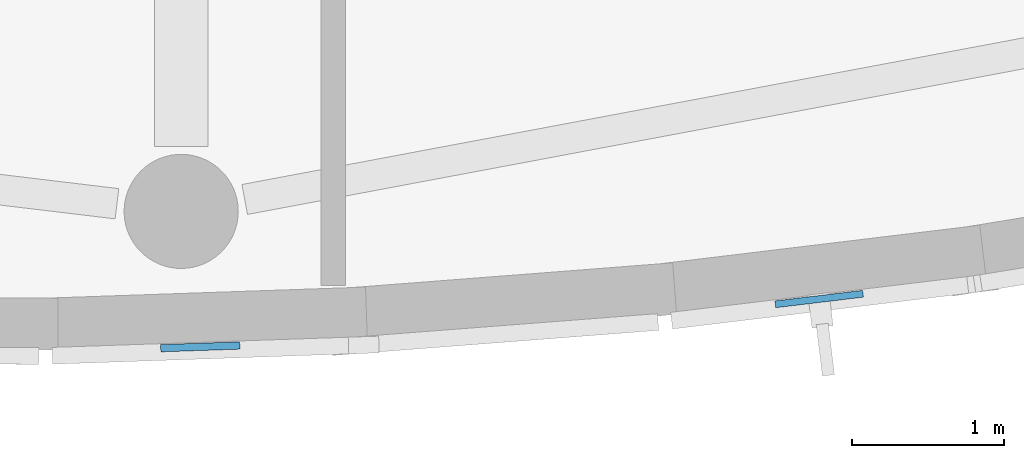
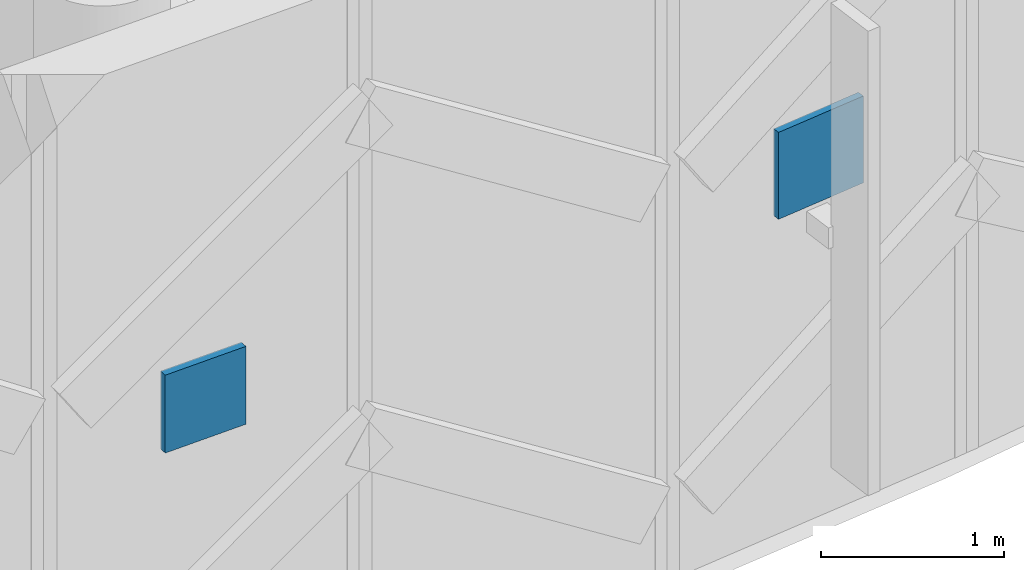
# One storey, part 123 of 193: 2 plates.
"""IFC4 building model written with IfcOpenShell, lengths in metres."""

from ifc_helpers import new_model, si_unit, direction, frame, origin, origin_2d, place, context, subcontext, project, spatial, rectangle, extrude, material, layer, layer_set, type_object, element, save


model = new_model("IFC4")

# Units and contexts
model_context = context("Model", 3, precision=1e-05, world=origin(), true_north=direction((0.0, 1.0)))
body_context = subcontext(model_context, "Body", "Model", "MODEL_VIEW")
ifc_project = project(units=[si_unit("LENGTHUNIT", "METRE"), si_unit("AREAUNIT", "SQUARE_METRE"), si_unit("VOLUMEUNIT", "CUBIC_METRE"), si_unit("PLANEANGLEUNIT", "RADIAN"), si_unit("MASSUNIT", "GRAM", prefix="KILO")], contexts=[model_context])

# Site, building, storey
site_placement = place(None, origin())
site = spatial("IfcSite", under=ifc_project, at=site_placement, CompositionType="ELEMENT")
building_placement = place(site_placement, origin())
building = spatial("IfcBuilding", under=site, at=building_placement, Name="Cendralis Lancet Convention Centre", CompositionType="ELEMENT")
storey_placement = place(building_placement, frame((0.0, 0.0, 10.199951171875)))
storey = spatial("IfcBuildingStorey", under=building, at=storey_placement, Name="L02", CompositionType="ELEMENT", Elevation=10.199951171875)

# Plates
ifc_material_1 = material(Name="Warm buff sandstone chevron cassette", Category="masonry")
ifc_layer_1 = layer(ifc_material_1, 0.044921875, Name="Warm buff sandstone chevron cassette")
ifc_layer_set_1 = layer_set([ifc_layer_1], Name="Warm buff sandstone chevron cassette")
plate_type_1 = type_object("IfcPlateType", Name="ARC-PL-CHV1", PredefinedType="SHEET", material=ifc_layer_set_1)
plate_1_placement = place(storey_placement, frame((61.79150390625, 0.619384765625, 2.130126953125), z_axis=(0.0, 0.0, 1.0), x_axis=(0.992818021481, 0.119634343823, 0.0)))
element("IfcPlate", 1, at=plate_1_placement, inside=storey, type_object=plate_type_1, Name="Chevron Keystone Cassette CHV-S1 #0047", PredefinedType="SHEET", context=body_context, shape_type="SweptSolid", body=[
    extrude(rectangle(XDim=0.580078125, YDim=0.044921875, at=origin_2d()), origin(), (0.0, 0.0, 1.0), 0.580078125),
])
ifc_material_2 = material(Name="Dark Andean slate chevron cassette", Category="masonry")
ifc_layer_2 = layer(ifc_material_2, 0.048095703125, Name="Dark Andean slate chevron cassette")
ifc_layer_set_2 = layer_set([ifc_layer_2], Name="Dark Andean slate chevron cassette")
plate_type_2 = type_object("IfcPlateType", Name="ARC-PL-CHV4", PredefinedType="SHEET", material=ifc_layer_set_2)
plate_2_placement = place(storey_placement, frame((57.725341796875, 0.30517578125, 2.16015625), z_axis=(0.0, 0.0, 1.0), x_axis=(0.999403551225, 0.034533198497, 0.0)))
element("IfcPlate", 2, at=plate_2_placement, inside=storey, type_object=plate_type_2, Name="Chevron Keystone Cassette CHV-D2 #0044", PredefinedType="SHEET", context=body_context, shape_type="SweptSolid", body=[
    extrude(rectangle(XDim=0.52001953125, YDim=0.048095703125, at=origin_2d()), origin(), (0.0, 0.0, 1.0), 0.52001953125),
])

save(model, "model.ifc")
